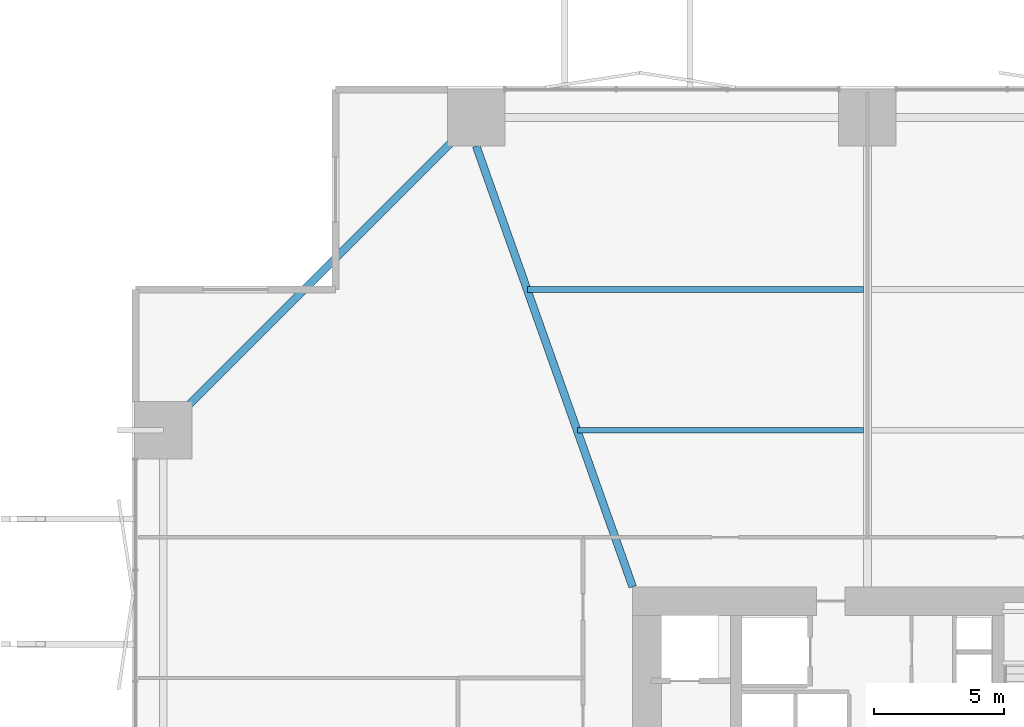
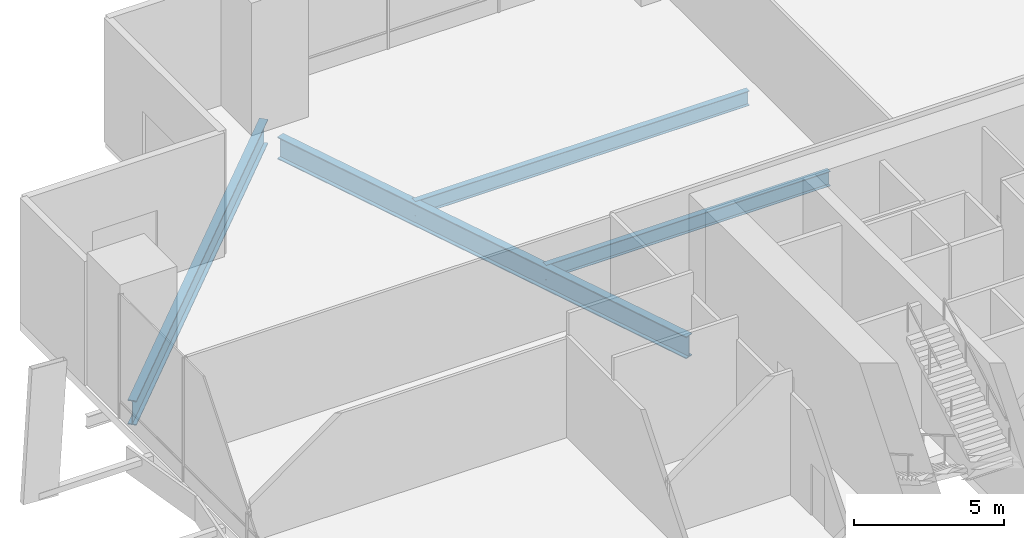
# One storey, part 12 of 24: 4 beams.
"""IFC4 building model written with IfcOpenShell, lengths in metres."""

from ifc_helpers import new_model, si_unit, direction, frame, origin, origin_2d, place, context, subcontext, project, spatial, i_section, extrude, material, material_profile, profile_set, type_object, element, save


model = new_model("IFC4")

# Units and contexts
model_context = context("Model", 3, precision=1e-05, world=origin(), true_north=direction((0.0, 1.0)))
body_context = subcontext(model_context, "Body", "Model", "MODEL_VIEW")
ifc_project = project(units=[si_unit("LENGTHUNIT", "METRE"), si_unit("AREAUNIT", "SQUARE_METRE"), si_unit("VOLUMEUNIT", "CUBIC_METRE"), si_unit("PLANEANGLEUNIT", "RADIAN"), si_unit("MASSUNIT", "GRAM", prefix="KILO")], contexts=[model_context])

# Site, building, storey
site_placement = place(None, origin())
site = spatial("IfcSite", under=ifc_project, at=site_placement, CompositionType="ELEMENT")
building_placement = place(site_placement, origin())
building = spatial("IfcBuilding", under=site, at=building_placement, Name="Belovzor Exchange Tower", CompositionType="ELEMENT")
storey_placement = place(building_placement, frame((0.0, 0.0, 13.800048828125)))
storey = spatial("IfcBuildingStorey", under=building, at=storey_placement, Name="L03", CompositionType="ELEMENT", Elevation=13.800048828125)

# Beams
ifc_material_1 = material(Name="Steel S460", Category="steel")
ifc_material_profile_1 = material_profile(ifc_material_1, i_section(OverallWidth=0.300048828125, OverallDepth=1.0, WebThickness=0.02099609375, FlangeThickness=0.0400390625, at=origin_2d()))
ifc_profile_set_1 = profile_set([ifc_material_profile_1], Name="Steel S460")
beam_type_1 = type_object("IfcBeamType", Name="Podium Exchange Hall Ring Girder HEM 1000", PredefinedType="BEAM", material=ifc_profile_set_1)
beam_1_placement = place(storey_placement, frame((13.800048828125, 55.800048828125, -0.85009765625), z_axis=(-0.707106781187, -0.707106781187, 0.0), x_axis=(0.707106781187, -0.707106781187, 0.0)))
element("IfcBeam", 1, at=beam_1_placement, inside=storey, type_object=beam_type_1, Name="PG-1 Podium Exchange Hall Ring Girder HEM 1000", PredefinedType="BEAM", context=body_context, shape_type="SweptSolid", body=[
    extrude(i_section(OverallWidth=0.300048828125, OverallDepth=1.0, WebThickness=0.02099609375, FlangeThickness=0.0400390625, at=origin_2d()), origin(), (0.0, 0.0, 1.0), 16.970458984375),
])
ifc_material_2 = material(Name="Steel S460", Category="steel")
ifc_material_profile_2 = material_profile(ifc_material_2, i_section(OverallWidth=0.300048828125, OverallDepth=0.89990234375, WebThickness=0.0185546875, FlangeThickness=0.034912109375, at=origin_2d()))
ifc_profile_set_2 = profile_set([ifc_material_profile_2], Name="Steel S460")
beam_type_2 = type_object("IfcBeamType", Name="Podium Radial Clear-Span Girder HEB 900", PredefinedType="BEAM", material=ifc_profile_set_2)
beam_2_placement = place(storey_placement, frame((19.800048828125, 37.800048828125, -0.800048828125), z_axis=(-0.334571317861, 0.942370433144, 0.0), x_axis=(-0.942370433144, -0.334571317861, 0.0)))
element("IfcBeam", 2, at=beam_2_placement, inside=storey, type_object=beam_type_2, Name="PG-2 Podium Radial Clear-Span Girder HEB 900", PredefinedType="BEAM", context=body_context, shape_type="SweptSolid", body=[
    extrude(i_section(OverallWidth=0.300048828125, OverallDepth=0.89990234375, WebThickness=0.0185546875, FlangeThickness=0.034912109375, at=origin_2d()), origin(), (0.0, 0.0, 1.0), 17.933349609375),
])
ifc_material_3 = material(Name="Steel S355", Category="steel")
ifc_material_profile_3 = material_profile(ifc_material_3, i_section(OverallWidth=0.219970703125, OverallDepth=0.60009765625, WebThickness=0.011962890625, FlangeThickness=0.01904296875, at=origin_2d()))
ifc_profile_set_3 = profile_set([ifc_material_profile_3], Name="Steel S355")
beam_type_3 = type_object("IfcBeamType", Name="Podium Secondary Composite Floor Beam IPE 600", PredefinedType="BEAM", material=ifc_profile_set_3)
beam_3_placement = place(storey_placement, frame((17.68994140625, 43.800048828125, -0.650146484375), z_axis=(1.0, 0.0, 0.0), x_axis=(0.0, 1.0, 0.0)))
element("IfcBeam", 3, at=beam_3_placement, inside=storey, type_object=beam_type_3, Name="FB-600 Podium Secondary Composite Floor Beam IPE 600", PredefinedType="BEAM", context=body_context, shape_type="SweptSolid", body=[
    extrude(i_section(OverallWidth=0.219970703125, OverallDepth=0.60009765625, WebThickness=0.011962890625, FlangeThickness=0.01904296875, at=origin_2d()), origin(), (0.0, 0.0, 1.0), 10.9599609375),
])
beam_4_placement = place(storey_placement, frame((15.77294921875, 49.199951171875, -0.650146484375), z_axis=(1.0, 0.0, 0.0), x_axis=(0.0, 1.0, 0.0)))
element("IfcBeam", 4, at=beam_4_placement, inside=storey, type_object=beam_type_3, Name="FB-600 Podium Secondary Composite Floor Beam IPE 600", PredefinedType="BEAM", context=body_context, shape_type="SweptSolid", body=[
    extrude(i_section(OverallWidth=0.219970703125, OverallDepth=0.60009765625, WebThickness=0.011962890625, FlangeThickness=0.01904296875, at=origin_2d()), origin(), (0.0, 0.0, 1.0), 12.876953125),
])

save(model, "model.ifc")
